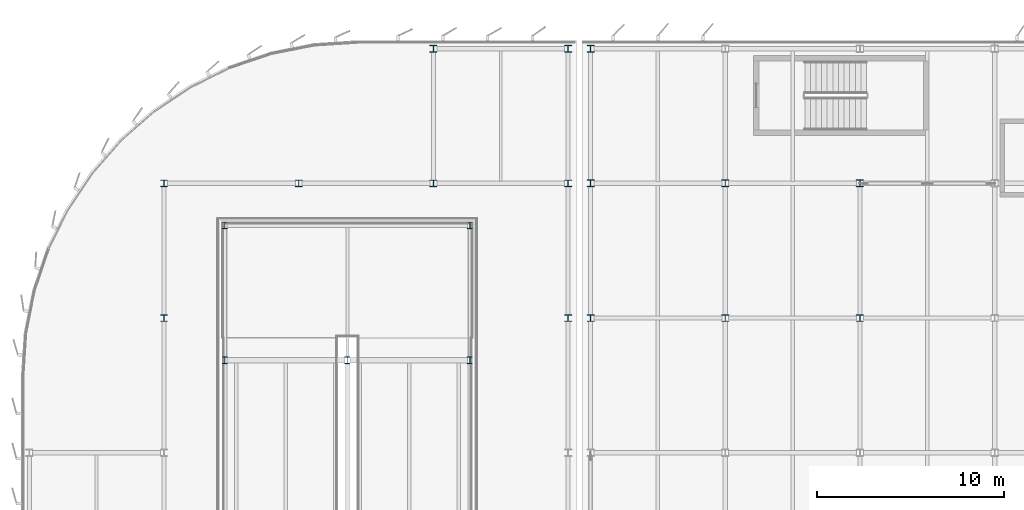
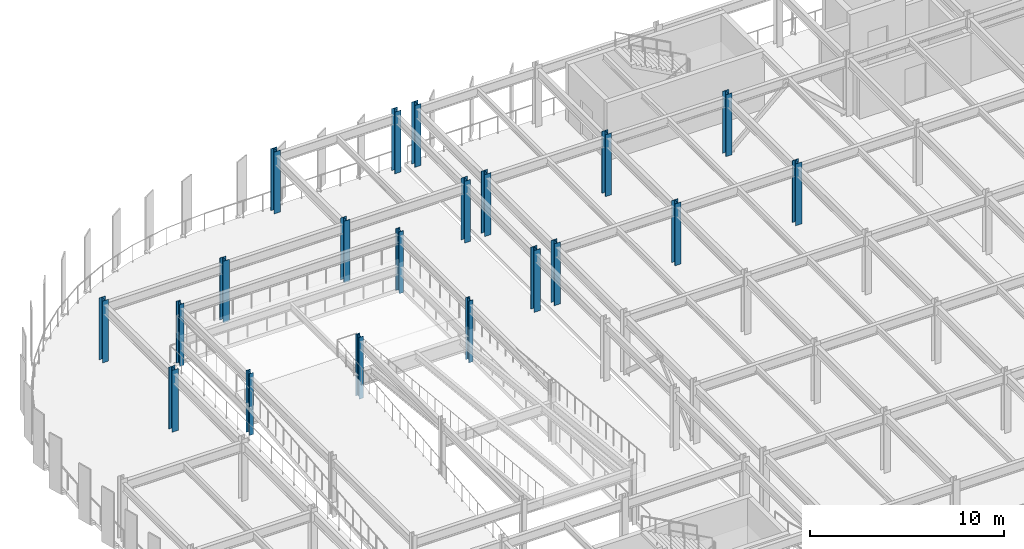
# One storey, part 3 of 52: 20 columns.
"""IFC4 building model written with IfcOpenShell, lengths in metres."""

import ifcopenshell
import ifcopenshell.guid

model = None  # the IFC model being written
_history = None  # IfcOwnerHistory: only IFC2X3 demands one
_inside = {}  # id of a spatial element -> (the spatial element, [elements in it])
_under = {}  # id of a project, library or spatial element -> (it, [spatial elements below it])
_declared = {}  # id of a project -> (the project, [libraries it declares])
_typed = {}  # id of a type object -> (the type object, [elements of that type])
_made_of = {}  # id of a material, layer set ... -> (it, [elements and type objects made of it])


def new_model(schema):
    """Start an empty IFC model of exactly this schema.

    Asked for "IFC4X3", IfcOpenShell would pick the latest addendum, in which some entities
    have other attributes; the version numbers below select the first issue.
    IFC2X3 requires an IfcOwnerHistory on every rooted entity: one is made here for all.
    """
    global model, _history
    if schema == "IFC4X3":
        model = ifcopenshell.file(schema_version=(4, 3, 0, 0))
    else:
        model = ifcopenshell.file(schema=schema)
    _inside.clear()
    _under.clear()
    _declared.clear()
    _typed.clear()
    _made_of.clear()
    _history = None
    if model.schema == "IFC2X3":
        org = make("IfcOrganization", Name="unknown")
        user = make(
            "IfcPersonAndOrganization",
            ThePerson=make("IfcPerson", FamilyName="unknown"),
            TheOrganization=org,
        )
        app = make(
            "IfcApplication",
            ApplicationDeveloper=org,
            Version="unknown",
            ApplicationFullName="unknown",
            ApplicationIdentifier="unknown",
        )
        _history = make(
            "IfcOwnerHistory",
            OwningUser=user,
            OwningApplication=app,
            ChangeAction="ADDED",
            CreationDate=0,
        )
    return model


def make(cls, **values):
    """One entity of the class cls with the attributes given. An attribute that is None is left unset."""
    return model.create_entity(
        cls, **{name: value for name, value in values.items() if value is not None}
    )


def rooted(cls, **values):
    """An entity with a GlobalId (a new one), such as an element, a storey or a relation."""
    return make(cls, GlobalId=ifcopenshell.guid.new(), OwnerHistory=_history, **values)


def si_unit(unit_type, name, prefix=None):
    """IfcSIUnit, for example si_unit("LENGTHUNIT", "METRE", prefix="MILLI")."""
    return make("IfcSIUnit", UnitType=unit_type, Prefix=prefix, Name=name)


def assignment(units):
    """IfcUnitAssignment: the units of a project."""
    return None if units is None else make("IfcUnitAssignment", Units=units)


def point(xyz):
    """IfcCartesianPoint."""
    return None if xyz is None else make("IfcCartesianPoint", Coordinates=xyz)


def direction(xyz):
    """IfcDirection."""
    return None if xyz is None else make("IfcDirection", DirectionRatios=xyz)


def frame(location, z_axis=None, x_axis=None):
    """IfcAxis2Placement3D, a coordinate frame: its origin and axes. An axis left out is left unset."""
    return make(
        "IfcAxis2Placement3D",
        Location=point(location),
        Axis=direction(z_axis),
        RefDirection=direction(x_axis),
    )


def frame_2d(location, x_axis=None):
    """IfcAxis2Placement2D, a coordinate frame in the plane: its origin and x axis."""
    return make(
        "IfcAxis2Placement2D", Location=point(location), RefDirection=direction(x_axis)
    )


def origin():
    """The frame at (0, 0, 0) with its axes left unset."""
    return frame((0.0, 0.0, 0.0))


def origin_2d():
    """The frame at (0, 0) in the plane with its x axis left unset."""
    return frame_2d((0.0, 0.0))


def place(relative_to, where):
    """IfcLocalPlacement: puts the frame where relative to a parent placement (None: the world)."""
    return make(
        "IfcLocalPlacement", PlacementRelTo=relative_to, RelativePlacement=where
    )


def context(
    kind, dimensions, precision=None, world=None, true_north=None, identifier=None
):
    """IfcGeometricRepresentationContext, for example the 3D "Model" context."""
    return make(
        "IfcGeometricRepresentationContext",
        ContextIdentifier=identifier,
        ContextType=kind,
        CoordinateSpaceDimension=dimensions,
        Precision=precision,
        WorldCoordinateSystem=world,
        TrueNorth=true_north,
    )


def subcontext(parent, identifier, kind, view, scale=None):
    """IfcGeometricRepresentationSubContext, for example "Body" below "Model"."""
    return make(
        "IfcGeometricRepresentationSubContext",
        ContextIdentifier=identifier,
        ContextType=kind,
        ParentContext=parent,
        TargetScale=scale,
        TargetView=view,
    )


def project(units=None, contexts=None):
    """IfcProject with its units and contexts."""
    return rooted(
        "IfcProject",
        Name="project",
        RepresentationContexts=contexts,
        UnitsInContext=assignment(units),
    )


def spatial(cls, under=None, at=None, **own):
    """A site, building, storey or space (cls), placed at a placement, below another one or the project."""
    s = rooted(cls, ObjectPlacement=at, **own)
    if under is not None:
        _under.setdefault(under.id(), (under, []))[1].append(s)
    return s


def profile(cls, at=None, kind="AREA", **sizes):
    """A parametric profile (cls). Its sizes go by their IFC names, for example OverallWidth=200.0."""
    return make(cls, ProfileType=kind, Position=at, **sizes)


def i_section(**sizes):
    """IfcIShapeProfileDef."""
    return profile("IfcIShapeProfileDef", **sizes)


def extrude(swept, where, along, depth):
    """IfcExtrudedAreaSolid: the profile swept, set in the frame where, extruded along a direction by depth."""
    return make(
        "IfcExtrudedAreaSolid",
        SweptArea=swept,
        Position=where,
        ExtrudedDirection=direction(along),
        Depth=depth,
    )


def shape(context_of_items, identifier, shape_type, items):
    """IfcShapeRepresentation: the items that make up one representation, for example the "Body"."""
    return make(
        "IfcShapeRepresentation",
        ContextOfItems=context_of_items,
        RepresentationIdentifier=identifier,
        RepresentationType=shape_type,
        Items=items,
    )


def material(Name=None, Category=None):
    """IfcMaterial."""
    return make("IfcMaterial", Name=Name, Category=Category)


def material_profile(
    of_material, cross_section, Name=None, Category=None, Priority=None
):
    """IfcMaterialProfile: a cross section and its material."""
    return make(
        "IfcMaterialProfile",
        Name=Name,
        Material=of_material,
        Profile=cross_section,
        Priority=Priority,
        Category=Category,
    )


def profile_set(profiles, Name=None, composite=None):
    """IfcMaterialProfileSet."""
    return make(
        "IfcMaterialProfileSet",
        Name=Name,
        MaterialProfiles=profiles,
        CompositeProfile=composite,
    )


def made_of(thing, what):
    """Note that an element or type object is made of a material, layer set ...; save() writes the relation."""
    if what is not None:
        _made_of.setdefault(what.id(), (what, []))[1].append(thing)
    return thing


def type_object(cls, material=None, **own):
    """A type object (cls), such as IfcWallType, which elements share."""
    return made_of(rooted(cls, **own), material)


def element(
    cls,
    number,
    at=None,
    inside=None,
    cuts=None,
    type_object=None,
    material=None,
    context=None,
    identifier="Body",
    shape_type=None,
    held_by="IfcProductDefinitionShape",
    body=None,
    shapes=None,
    **own,
):
    """One element of the class cls, such as IfcWall. Its Tag is "e" and its number.

    at: its placement. inside: the storey or other place that contains it. cuts: it is an
    opening in that element (IfcRelVoidsElement). A single representation is given by context,
    identifier, shape_type and body (its items); several are given by shapes. held_by: the class
    of the entity that holds the representations. save() writes the other relations.
    """
    e = rooted(cls, Tag="e%d" % number, ObjectPlacement=at, **own)
    if body is not None:
        shapes = [shape(context, identifier, shape_type, body)]
    if shapes is not None:
        e.Representation = make(held_by, Representations=shapes)
    if inside is not None:
        _inside.setdefault(inside.id(), (inside, []))[1].append(e)
    if cuts is not None:
        rooted(
            "IfcRelVoidsElement", RelatingBuildingElement=cuts, RelatedOpeningElement=e
        )
    if type_object is not None:
        _typed.setdefault(type_object.id(), (type_object, []))[1].append(e)
    return made_of(e, material)


def aggregate(whole, parts):
    """IfcRelAggregates: a whole, such as a stair, and the parts it consists of."""
    return rooted("IfcRelAggregates", RelatingObject=whole, RelatedObjects=parts)


def save(model, path):
    """Write the relations noted so far, then the file.

    IfcRelAggregates (storeys below a building ...), IfcRelContainedInSpatialStructure (elements
    in a storey), IfcRelDefinesByType, IfcRelAssociatesMaterial and IfcRelDeclares: one each for
    every whole, place, type object, material and project.
    """
    for whole, parts in _under.values():
        aggregate(whole, parts)
    for where, things in _inside.values():
        rooted(
            "IfcRelContainedInSpatialStructure",
            RelatedElements=things,
            RelatingStructure=where,
        )
    for kind, things in _typed.values():
        rooted("IfcRelDefinesByType", RelatedObjects=things, RelatingType=kind)
    for what, things in _made_of.values():
        rooted("IfcRelAssociatesMaterial", RelatedObjects=things, RelatingMaterial=what)
    for by, libraries in _declared.values():
        rooted("IfcRelDeclares", RelatingContext=by, RelatedDefinitions=libraries)
    model.write(path)


model = new_model("IFC4")

# Units and contexts
model_context = context("Model", 3, precision=1e-05, world=origin(), true_north=direction((0.0, 1.0)))
body_context = subcontext(model_context, "Body", "Model", "MODEL_VIEW")
ifc_project = project(units=[si_unit("LENGTHUNIT", "METRE"), si_unit("AREAUNIT", "SQUARE_METRE"), si_unit("VOLUMEUNIT", "CUBIC_METRE"), si_unit("PLANEANGLEUNIT", "RADIAN"), si_unit("MASSUNIT", "GRAM", prefix="KILO")], contexts=[model_context])

# Site, building, storey
site_placement = place(None, origin())
site = spatial("IfcSite", under=ifc_project, at=site_placement, CompositionType="ELEMENT")
building_placement = place(site_placement, origin())
building = spatial("IfcBuilding", under=site, at=building_placement, Name="Vaelcorin Mobility Hub", CompositionType="ELEMENT")
storey_placement = place(building_placement, frame((0.0, 0.0, 13.199951171875)))
storey = spatial("IfcBuildingStorey", under=building, at=storey_placement, Name="L03", CompositionType="ELEMENT", Elevation=13.199951171875)

# Columns
ifc_material = material(Name="Steel ASTM A992 Grade 50", Category="steel")
ifc_material_profile_1 = material_profile(ifc_material, i_section(OverallWidth=0.37109375, OverallDepth=0.363037109375, WebThickness=0.01318359375, FlangeThickness=0.021728515625, FilletRadius=0.014892578125, at=origin_2d()), Name="W14X109")
ifc_profile_set_1 = profile_set([ifc_material_profile_1], Name="Steel ASTM A992 Grade 50")
column_type_1 = type_object("IfcColumnType", Name="COL-W14X109", PredefinedType="COLUMN", material=ifc_profile_set_1)
for number, where, z_axis, x_axis, name in (
    (1, (36.0, 105.60009765625, 0.0), (0.0, 0.0, 1.0), (1.0, 0.0, 0.0), "Column V4-X01Y05 L03"),
    (2, (36.0, 120.0, 0.0), (0.0, 0.0, 1.0), (1.0, 0.0, 0.0), "Column V4-X01Y07 L03"),
    (3, (43.199951171875, 105.60009765625, 0.0), (0.0, 0.0, 1.0), (1.0, 0.0, 0.0), "Column V4-X02Y05 L03"),
    (4, (50.39990234375, 105.60009765625, 0.0), (0.0, 0.0, 1.0), (1.0, 0.0, 0.0), "Column V4-X03Y05 L03"),
):
    element("IfcColumn", number, at=place(storey_placement, frame(where, z_axis=z_axis, x_axis=x_axis)), inside=storey, type_object=column_type_1, Name=name, PredefinedType="COLUMN", context=body_context, shape_type="SweptSolid", body=[
        extrude(i_section(OverallWidth=0.37109375, OverallDepth=0.363037109375, WebThickness=0.01318359375, FlangeThickness=0.021728515625, FilletRadius=0.014892578125, at=origin_2d()), origin(), (0.0, 0.0, 1.0), 3.900146484375),
    ])
ifc_material_profile_2 = material_profile(ifc_material, i_section(OverallWidth=0.373046875, OverallDepth=0.373046875, WebThickness=0.016357421875, FlangeThickness=0.026123046875, FilletRadius=0.014892578125, at=origin_2d()), Name="W14X132")
ifc_profile_set_2 = profile_set([ifc_material_profile_2], Name="Steel ASTM A992 Grade 50")
column_type_2 = type_object("IfcColumnType", Name="COL-W14X132", PredefinedType="COLUMN", material=ifc_profile_set_2)
for number, where, z_axis, x_axis, name in (
    (5, (36.0, 112.800048828125, 0.0), (0.0, 0.0, 1.0), (1.0, 0.0, 0.0), "Column V4-X01Y06 L03"),
    (6, (43.199951171875, 112.800048828125, 0.0), (0.0, 0.0, 1.0), (1.0, 0.0, 0.0), "Column V4-X02Y06 L03"),
    (7, (50.39990234375, 112.800048828125, 0.0), (0.0, 0.0, 1.0), (1.0, 0.0, 0.0), "Column V4-X03Y06 L03"),
):
    element("IfcColumn", number, at=place(storey_placement, frame(where, z_axis=z_axis, x_axis=x_axis)), inside=storey, type_object=column_type_2, Name=name, PredefinedType="COLUMN", context=body_context, shape_type="SweptSolid", body=[
        extrude(i_section(OverallWidth=0.373046875, OverallDepth=0.373046875, WebThickness=0.016357421875, FlangeThickness=0.026123046875, FilletRadius=0.014892578125, at=origin_2d()), origin(), (0.0, 0.0, 1.0), 3.900146484375),
    ])
ifc_material_profile_3 = material_profile(ifc_material, i_section(OverallWidth=0.257080078125, OverallDepth=0.363037109375, WebThickness=0.012939453125, FlangeThickness=0.021728515625, FilletRadius=0.014892578125, at=origin_2d()), Name="W14X82")
ifc_profile_set_3 = profile_set([ifc_material_profile_3], Name="Steel ASTM A992 Grade 50")
column_type_3 = type_object("IfcColumnType", Name="COL-W14X82", PredefinedType="COLUMN", material=ifc_profile_set_3)
for number, where, z_axis, x_axis, name in (
    (8, (16.449951171875, 103.35009765625, 0.0), (0.0, 0.0, 1.0), (1.0, 0.0, 0.0), "Column V2W-RDRM-WN L03"),
    (9, (23.0, 103.35009765625, 0.0), (0.0, 0.0, 1.0), (1.0, 0.0, 0.0), "Column V2W-RDRM-MN L03"),
    (10, (29.550048828125, 103.35009765625, 0.0), (0.0, 0.0, 1.0), (1.0, 0.0, 0.0), "Column V2W-RDRM-EN L03"),
    (11, (16.449951171875, 110.550048828125, 0.0), (0.0, 0.0, 1.0), (1.0, 0.0, 0.0), "Column V2W-RDRM-WB L03"),
    (12, (29.550048828125, 110.550048828125, 0.0), (0.0, 0.0, 1.0), (1.0, 0.0, 0.0), "Column V2W-RDRM-EB L03"),
):
    element("IfcColumn", number, at=place(storey_placement, frame(where, z_axis=z_axis, x_axis=x_axis)), inside=storey, type_object=column_type_3, Name=name, PredefinedType="COLUMN", context=body_context, shape_type="SweptSolid", body=[
        extrude(i_section(OverallWidth=0.257080078125, OverallDepth=0.363037109375, WebThickness=0.012939453125, FlangeThickness=0.021728515625, FilletRadius=0.014892578125, at=origin_2d()), origin(), (0.0, 0.0, 1.0), 3.900146484375),
    ])
ifc_material_profile_4 = material_profile(ifc_material, i_section(OverallWidth=0.367919921875, OverallDepth=0.35595703125, WebThickness=0.01123046875, FlangeThickness=0.01806640625, FilletRadius=0.014892578125, at=origin_2d()), Name="W14X90")
ifc_profile_set_4 = profile_set([ifc_material_profile_4], Name="Steel ASTM A992 Grade 50")
column_type_4 = type_object("IfcColumnType", Name="COL-W14X90", PredefinedType="COLUMN", material=ifc_profile_set_4)
for number, where, z_axis, x_axis, name in (
    (13, (13.199951171875, 105.60009765625, 0.0), (0.0, 0.0, 1.0), (1.0, 0.0, 0.0), "Column V2W-G2x5 L03"),
    (14, (13.199951171875, 112.800048828125, 0.0), (0.0, 0.0, 1.0), (1.0, 0.0, 0.0), "Column V2W-G2x6 L03"),
    (15, (20.39990234375, 112.800048828125, 0.0), (0.0, 0.0, 1.0), (1.0, 0.0, 0.0), "Column V2W-G3x6 L03"),
    (16, (27.60009765625, 112.800048828125, 0.0), (0.0, 0.0, 1.0), (1.0, 0.0, 0.0), "Column V2W-G4x6 L03"),
    (17, (27.60009765625, 120.0, 0.0), (0.0, 0.0, 1.0), (1.0, 0.0, 0.0), "Column V2W-G4x7 L03"),
    (18, (34.800048828125, 105.60009765625, 0.0), (0.0, 0.0, 1.0), (1.0, 0.0, 0.0), "Column V2W-G5x5 L03"),
    (19, (34.800048828125, 112.800048828125, 0.0), (0.0, 0.0, 1.0), (1.0, 0.0, 0.0), "Column V2W-G5x6 L03"),
    (20, (34.800048828125, 120.0, 0.0), (0.0, 0.0, 1.0), (1.0, 0.0, 0.0), "Column V2W-G5x7 L03"),
):
    element("IfcColumn", number, at=place(storey_placement, frame(where, z_axis=z_axis, x_axis=x_axis)), inside=storey, type_object=column_type_4, Name=name, PredefinedType="COLUMN", context=body_context, shape_type="SweptSolid", body=[
        extrude(i_section(OverallWidth=0.367919921875, OverallDepth=0.35595703125, WebThickness=0.01123046875, FlangeThickness=0.01806640625, FilletRadius=0.014892578125, at=origin_2d()), origin(), (0.0, 0.0, 1.0), 3.900146484375),
    ])

save(model, "model.ifc")
